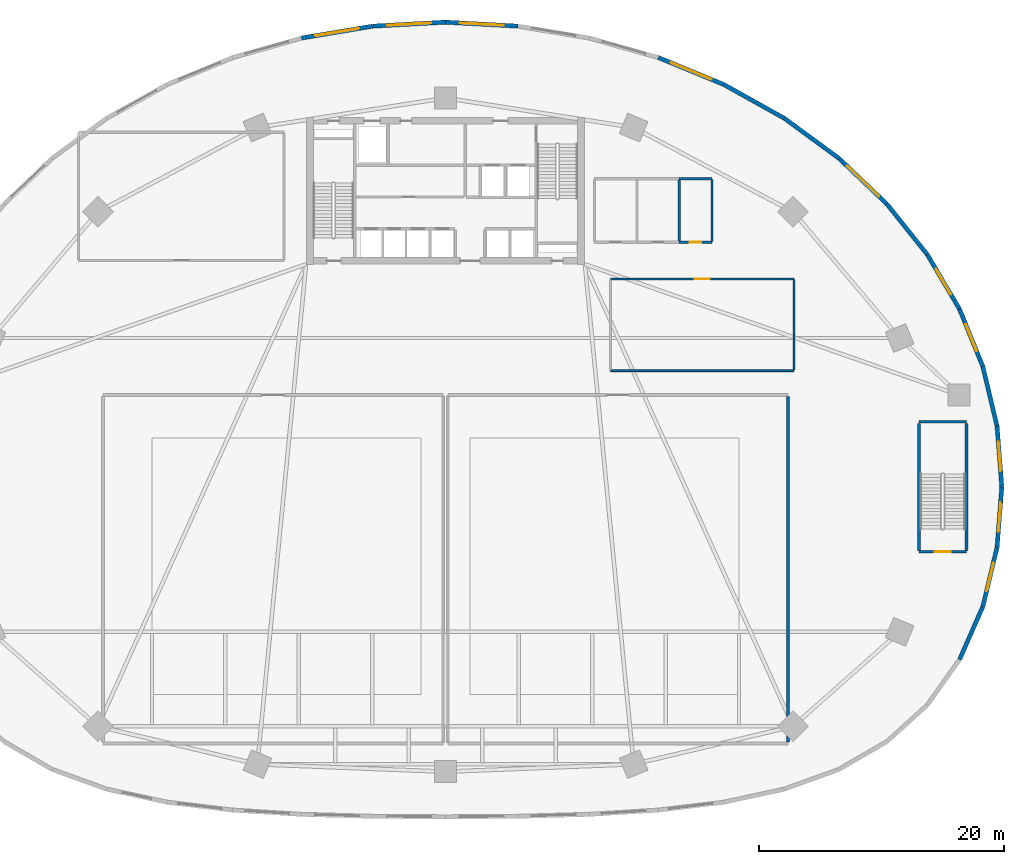
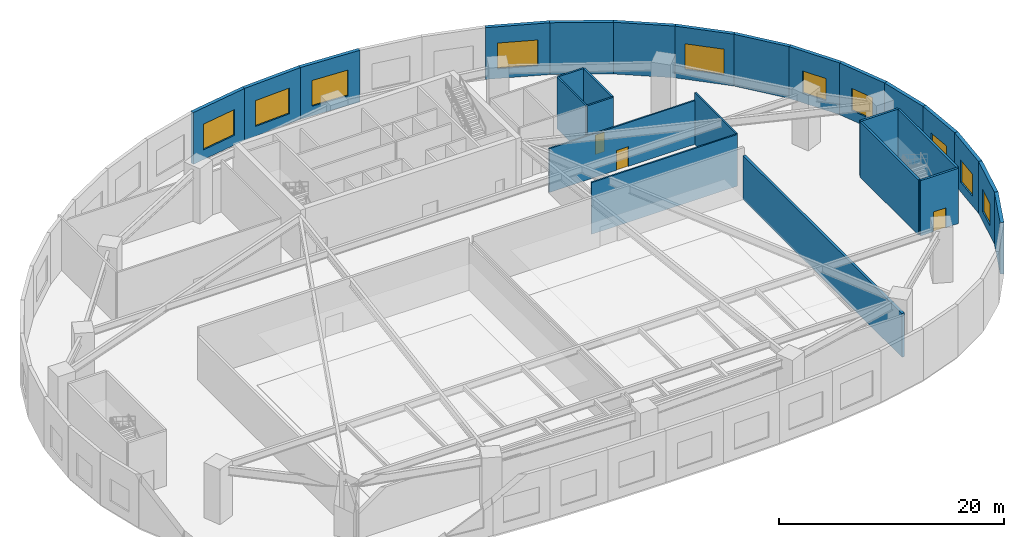
# One storey, part 5 of 10: 27 walls, 10 windows, 3 doors, 13 openings.
"""IFC4 building model written with IfcOpenShell, lengths in metres."""

from ifc_helpers import new_model, si_unit, direction, frame, frame_2d, origin, place, context, subcontext, project, spatial, rectangle, extrude, source, transform, mapped, material, layer, layer_set, type_object, type_shapes, element, fill, save


model = new_model("IFC4")

# Units and contexts
model_context = context("Model", 3, precision=1e-05, world=origin(), true_north=direction((0.0, 1.0)))
body_context = subcontext(model_context, "Body", "Model", "MODEL_VIEW")
ifc_project = project(units=[si_unit("LENGTHUNIT", "METRE"), si_unit("AREAUNIT", "SQUARE_METRE"), si_unit("VOLUMEUNIT", "CUBIC_METRE"), si_unit("PLANEANGLEUNIT", "RADIAN"), si_unit("MASSUNIT", "GRAM", prefix="KILO")], contexts=[model_context])

# Site, building, storey
site_placement = place(None, origin())
site = spatial("IfcSite", under=ifc_project, at=site_placement, CompositionType="ELEMENT")
building_placement = place(site_placement, origin())
building = spatial("IfcBuilding", under=site, at=building_placement, Name="Breltana Convention Tower", CompositionType="ELEMENT")
storey_placement = place(building_placement, frame((0.0, 0.0, 18.0)))
storey = spatial("IfcBuildingStorey", under=building, at=storey_placement, Name="L03", CompositionType="ELEMENT", Elevation=18.0)

# Wall, opening, window
ifc_material_1 = material(Name="Limestone Buff Insulated Wall", Category="masonry")
ifc_layer_1 = layer(ifc_material_1, 0.35009765625, Name="Limestone Buff Insulated Wall")
ifc_layer_set_1 = layer_set([ifc_layer_1], Name="Limestone Buff Insulated Wall")
wall_type_1 = type_object("IfcWallType", Name="WL-EXT-POD-350", PredefinedType="SOLIDWALL", material=ifc_layer_set_1)
shared_shape_1 = source(origin(), body_context, "Body", "SweptSolid", [
    extrude(rectangle(XDim=4.975341796875, YDim=0.35009765625, at=frame_2d((2.48779296875, 0.0))), origin(), (0.0, 0.0, 1.0), 5.6201171875),
])
wall_1_placement = place(storey_placement, frame((93.5, 42.0, 0.0), z_axis=(0.0, 0.0, 1.0), x_axis=(-0.07826870534, 0.996932299489, 0.0)))
wall_1 = element("IfcWall", 1, at=wall_1_placement, inside=storey, type_object=wall_type_1, Name="L03 limestone facade wall 1", PredefinedType="SOLIDWALL", context=body_context, shape_type="MappedRepresentation", body=[
    mapped(shared_shape_1, transform((0.0, 0.0, 0.0), scale=1.0)),
])
opening_1_placement = place(wall_1_placement, frame((1.28759765625, 0.0, 1.050048828125)))
opening_1 = element("IfcOpeningElement", 2, at=opening_1_placement, cuts=wall_1, Name="Opening W-02", PredefinedType="OPENING", context=body_context, shape_type="SweptSolid", body=[
    extrude(rectangle(XDim=2.39990234375, YDim=2.39990234375, at=frame_2d((1.199951171875, 1.199951171875))), frame((0.0, 0.18505859375, 0.0), z_axis=(0.0, -1.0, 0.0), x_axis=(1.0, 0.0, 0.0)), (0.0, 0.0, 1.0), 0.3701171875),
])
ifc_material_2 = material(Name="Glass Low-E Insulated Window", Category="glass")
window_type_1 = type_object("IfcWindowType", Name="WN-POD-2400X2400", PartitioningType="DOUBLE_PANEL_VERTICAL", PredefinedType="WINDOW", material=ifc_material_2)
shared_shape_2 = source(origin(), body_context, "Body", "SweptSolid", [
    extrude(rectangle(XDim=2.39990234375, YDim=2.39990234375, at=frame_2d((1.199951171875, 1.199951171875))), frame((0.0, 0.030029296875, 0.0), z_axis=(0.0, -1.0, 0.0), x_axis=(1.0, 0.0, 0.0)), (0.0, 0.0, 1.0), 0.06005859375),
])
type_shapes(window_type_1, [shared_shape_2])
window_1_placement = place(opening_1_placement, origin())
window_1 = element("IfcWindow", 3, at=window_1_placement, inside=storey, type_object=window_type_1, Name="L03 tripartite window 1.1", OverallHeight=2.39990234375, OverallWidth=2.39990234375, PartitioningType="DOUBLE_PANEL_VERTICAL", PredefinedType="WINDOW", context=body_context, shape_type="MappedRepresentation", body=[
    mapped(shared_shape_2, transform((0.0, 0.0, 0.0), scale=1.0)),
])
fill(opening_1, window_1)

wall_2_placement = place(storey_placement, frame((93.110595703125, 37.0400390625, 0.0), z_axis=(0.0, 0.0, 1.0), x_axis=(0.07826870534, 0.996932299489, 0.0)))
wall_2 = element("IfcWall", 4, at=wall_2_placement, inside=storey, type_object=wall_type_1, Name="L03 limestone facade wall 48", PredefinedType="SOLIDWALL", context=body_context, shape_type="MappedRepresentation", body=[
    mapped(shared_shape_1, transform((0.0, 0.0, 0.0), scale=1.0)),
])
opening_2_placement = place(wall_2_placement, frame((1.28759765625, 0.0, 1.050048828125)))
opening_2 = element("IfcOpeningElement", 5, at=opening_2_placement, cuts=wall_2, Name="Opening W-02", PredefinedType="OPENING", context=body_context, shape_type="SweptSolid", body=[
    extrude(rectangle(XDim=2.39990234375, YDim=2.39990234375, at=frame_2d((1.199951171875, 1.199951171875))), frame((0.0, 0.18505859375, 0.0), z_axis=(0.0, -1.0, 0.0), x_axis=(1.0, 0.0, 0.0)), (0.0, 0.0, 1.0), 0.3701171875),
])
window_2_placement = place(opening_2_placement, origin())
window_2 = element("IfcWindow", 6, at=window_2_placement, inside=storey, type_object=window_type_1, Name="L03 tripartite window 48.1", OverallHeight=2.39990234375, OverallWidth=2.39990234375, PartitioningType="DOUBLE_PANEL_VERTICAL", PredefinedType="WINDOW", context=body_context, shape_type="MappedRepresentation", body=[
    mapped(shared_shape_2, transform((0.0, 0.0, 0.0), scale=1.0)),
])
fill(opening_2, window_2)

# Wall
shared_shape_3 = source(origin(), body_context, "Body", "SweptSolid", [
    extrude(rectangle(XDim=5.011474609375, YDim=0.35009765625, at=frame_2d((2.505859375, 0.0))), origin(), (0.0, 0.0, 1.0), 5.6201171875),
])
wall_3_placement = place(storey_placement, frame((93.110595703125, 46.9599609375, 0.0), z_axis=(0.0, 0.0, 1.0), x_axis=(-0.23164248061, 0.972800987446, 0.0)))
element("IfcWall", 7, at=wall_3_placement, inside=storey, type_object=wall_type_1, Name="L03 limestone facade wall 2", PredefinedType="SOLIDWALL", context=body_context, shape_type="MappedRepresentation", body=[
    mapped(shared_shape_3, transform((0.0, 0.0, 0.0), scale=1.0)),
])

# Wall, opening, window
shared_shape_4 = source(origin(), body_context, "Body", "SweptSolid", [
    extrude(rectangle(XDim=5.080810546875, YDim=0.35009765625, at=frame_2d((2.54052734375, 0.0))), origin(), (0.0, 0.0, 1.0), 5.6201171875),
])
wall_4_placement = place(storey_placement, frame((91.94970703125, 51.835205078125, 0.0), z_axis=(0.0, 0.0, 1.0), x_axis=(-0.376538155573, 0.926401110425, 0.0)))
wall_4 = element("IfcWall", 8, at=wall_4_placement, inside=storey, type_object=wall_type_1, Name="L03 limestone facade wall 3", PredefinedType="SOLIDWALL", context=body_context, shape_type="MappedRepresentation", body=[
    mapped(shared_shape_4, transform((0.0, 0.0, 0.0), scale=1.0)),
])
opening_3_placement = place(wall_4_placement, frame((1.34033203125, 0.0, 1.050048828125)))
opening_3 = element("IfcOpeningElement", 9, at=opening_3_placement, cuts=wall_4, Name="Opening W-02", PredefinedType="OPENING", context=body_context, shape_type="SweptSolid", body=[
    extrude(rectangle(XDim=2.39990234375, YDim=2.39990234375, at=frame_2d((1.199951171875, 1.199951171875))), frame((0.0, 0.18505859375, 0.0), z_axis=(0.0, -1.0, 0.0), x_axis=(1.0, 0.0, 0.0)), (0.0, 0.0, 1.0), 0.3701171875),
])
window_3_placement = place(opening_3_placement, origin())
window_3 = element("IfcWindow", 10, at=window_3_placement, inside=storey, type_object=window_type_1, Name="L03 tripartite window 3.1", OverallHeight=2.39990234375, OverallWidth=2.39990234375, PartitioningType="DOUBLE_PANEL_VERTICAL", PredefinedType="WINDOW", context=body_context, shape_type="MappedRepresentation", body=[
    mapped(shared_shape_2, transform((0.0, 0.0, 0.0), scale=1.0)),
])
fill(opening_3, window_3)

shared_shape_5 = source(origin(), body_context, "Body", "SweptSolid", [
    extrude(rectangle(XDim=5.17724609375, YDim=0.35009765625, at=frame_2d((2.588623046875, 0.0))), origin(), (0.0, 0.0, 1.0), 5.6201171875),
])
wall_5_placement = place(storey_placement, frame((90.03662109375, 56.5419921875, 0.0), z_axis=(0.0, 0.0, 1.0), x_axis=(-0.508449663637, 0.861091713784, 0.0)))
wall_5 = element("IfcWall", 11, at=wall_5_placement, inside=storey, type_object=wall_type_1, Name="L03 limestone facade wall 4", PredefinedType="SOLIDWALL", context=body_context, shape_type="MappedRepresentation", body=[
    mapped(shared_shape_5, transform((0.0, 0.0, 0.0), scale=1.0)),
])
opening_4_placement = place(wall_5_placement, frame((1.388671875, 0.0, 1.050048828125)))
opening_4 = element("IfcOpeningElement", 12, at=opening_4_placement, cuts=wall_5, Name="Opening W-02", PredefinedType="OPENING", context=body_context, shape_type="SweptSolid", body=[
    extrude(rectangle(XDim=2.39990234375, YDim=2.39990234375, at=frame_2d((1.199951171875, 1.199951171875))), frame((0.0, 0.18505859375, 0.0), z_axis=(0.0, -1.0, 0.0), x_axis=(1.0, 0.0, 0.0)), (0.0, 0.0, 1.0), 0.3701171875),
])
window_4_placement = place(opening_4_placement, origin())
window_4 = element("IfcWindow", 13, at=window_4_placement, inside=storey, type_object=window_type_1, Name="L03 tripartite window 4.1", OverallHeight=2.39990234375, OverallWidth=2.39990234375, PartitioningType="DOUBLE_PANEL_VERTICAL", PredefinedType="WINDOW", context=body_context, shape_type="MappedRepresentation", body=[
    mapped(shared_shape_2, transform((0.0, 0.0, 0.0), scale=1.0)),
])
fill(opening_4, window_4)

# Wall
shared_shape_6 = source(origin(), body_context, "Body", "SweptSolid", [
    extrude(rectangle(XDim=5.292724609375, YDim=0.35009765625, at=frame_2d((2.646484375, 0.0))), origin(), (0.0, 0.0, 1.0), 5.6201171875),
])
wall_6_placement = place(storey_placement, frame((87.404296875, 61.0, 0.0), z_axis=(0.0, 0.0, 1.0), x_axis=(-0.624740048177, 0.780832806818, 0.0)))
element("IfcWall", 14, at=wall_6_placement, inside=storey, type_object=wall_type_1, Name="L03 limestone facade wall 5", PredefinedType="SOLIDWALL", context=body_context, shape_type="MappedRepresentation", body=[
    mapped(shared_shape_6, transform((0.0, 0.0, 0.0), scale=1.0)),
])

# Wall, opening, window
shared_shape_7 = source(origin(), body_context, "Body", "SweptSolid", [
    extrude(rectangle(XDim=5.419189453125, YDim=0.35009765625, at=frame_2d((2.70947265625, 0.0))), origin(), (0.0, 0.0, 1.0), 5.6201171875),
])
wall_7_placement = place(storey_placement, frame((84.09765625, 65.1328125, 0.0), z_axis=(0.0, 0.0, 1.0), x_axis=(-0.724150787336, 0.689641673046, 0.0)))
wall_7 = element("IfcWall", 15, at=wall_7_placement, inside=storey, type_object=wall_type_1, Name="L03 limestone facade wall 6", PredefinedType="SOLIDWALL", context=body_context, shape_type="MappedRepresentation", body=[
    mapped(shared_shape_7, transform((0.0, 0.0, 0.0), scale=1.0)),
])
opening_5_placement = place(wall_7_placement, frame((0.909423828125, 0.0, 1.050048828125)))
opening_5 = element("IfcOpeningElement", 16, at=opening_5_placement, cuts=wall_7, Name="Opening W-01", PredefinedType="OPENING", context=body_context, shape_type="SweptSolid", body=[
    extrude(rectangle(XDim=3.60009765625, YDim=2.800048828125, at=frame_2d((1.800048828125, 1.39990234375))), frame((0.0, 0.18505859375, 0.0), z_axis=(0.0, -1.0, 0.0), x_axis=(1.0, 0.0, 0.0)), (0.0, 0.0, 1.0), 0.3701171875),
])
window_type_2 = type_object("IfcWindowType", Name="WN-POD-3600X2800", PartitioningType="TRIPLE_PANEL_VERTICAL", PredefinedType="WINDOW", material=ifc_material_2)
shared_shape_8 = source(origin(), body_context, "Body", "SweptSolid", [
    extrude(rectangle(XDim=3.60009765625, YDim=2.800048828125, at=frame_2d((1.800048828125, 1.39990234375))), frame((0.0, 0.030029296875, 0.0), z_axis=(0.0, -1.0, 0.0), x_axis=(1.0, 0.0, 0.0)), (0.0, 0.0, 1.0), 0.06005859375),
])
type_shapes(window_type_2, [shared_shape_8])
window_5_placement = place(opening_5_placement, origin())
window_5 = element("IfcWindow", 17, at=window_5_placement, inside=storey, type_object=window_type_2, Name="L03 tripartite window 6.1", OverallHeight=2.800048828125, OverallWidth=3.60009765625, PartitioningType="TRIPLE_PANEL_VERTICAL", PredefinedType="WINDOW", context=body_context, shape_type="MappedRepresentation", body=[
    mapped(shared_shape_8, transform((0.0, 0.0, 0.0), scale=1.0)),
])
fill(opening_5, window_5)

# Walls
shared_shape_9 = source(origin(), body_context, "Body", "SweptSolid", [
    extrude(rectangle(XDim=5.546630859375, YDim=0.35009765625, at=frame_2d((2.7734375, 0.0))), origin(), (0.0, 0.0, 1.0), 5.6201171875),
])
wall_8_placement = place(storey_placement, frame((80.17333984375, 68.8701171875, 0.0), z_axis=(0.0, 0.0, 1.0), x_axis=(-0.806767275837, 0.590869327887, 0.0)))
element("IfcWall", 18, at=wall_8_placement, inside=storey, type_object=wall_type_1, Name="L03 limestone facade wall 7", PredefinedType="SOLIDWALL", context=body_context, shape_type="MappedRepresentation", body=[
    mapped(shared_shape_9, transform((0.0, 0.0, 0.0), scale=1.0)),
])
shared_shape_10 = source(origin(), body_context, "Body", "SweptSolid", [
    extrude(rectangle(XDim=5.666748046875, YDim=0.35009765625, at=frame_2d((2.83349609375, 0.0))), origin(), (0.0, 0.0, 1.0), 5.6201171875),
])
wall_9_placement = place(storey_placement, frame((75.698486328125, 72.1474609375, 0.0), z_axis=(0.0, 0.0, 1.0), x_axis=(-0.873233089296, 0.487302751642, 0.0)))
element("IfcWall", 19, at=wall_9_placement, inside=storey, type_object=wall_type_1, Name="L03 limestone facade wall 8", PredefinedType="SOLIDWALL", context=body_context, shape_type="MappedRepresentation", body=[
    mapped(shared_shape_10, transform((0.0, 0.0, 0.0), scale=1.0)),
])

# Wall, opening, window
shared_shape_11 = source(origin(), body_context, "Body", "SweptSolid", [
    extrude(rectangle(XDim=5.77294921875, YDim=0.35009765625, at=frame_2d((2.886474609375, 0.0))), origin(), (0.0, 0.0, 1.0), 5.6201171875),
])
wall_10_placement = place(storey_placement, frame((70.75, 74.908935546875, 0.0), z_axis=(0.0, 0.0, 1.0), x_axis=(-0.924645688874, 0.380828504771, 0.0)))
wall_10 = element("IfcWall", 20, at=wall_10_placement, inside=storey, type_object=wall_type_1, Name="L03 limestone facade wall 9", PredefinedType="SOLIDWALL", context=body_context, shape_type="MappedRepresentation", body=[
    mapped(shared_shape_11, transform((0.0, 0.0, 0.0), scale=1.0)),
])
opening_6_placement = place(wall_10_placement, frame((1.08642578125, 0.0, 1.050048828125)))
opening_6 = element("IfcOpeningElement", 21, at=opening_6_placement, cuts=wall_10, Name="Opening W-01", PredefinedType="OPENING", context=body_context, shape_type="SweptSolid", body=[
    extrude(rectangle(XDim=3.60009765625, YDim=2.800048828125, at=frame_2d((1.800048828125, 1.39990234375))), frame((0.0, 0.18505859375, 0.0), z_axis=(0.0, -1.0, 0.0), x_axis=(1.0, 0.0, 0.0)), (0.0, 0.0, 1.0), 0.3701171875),
])
window_6_placement = place(opening_6_placement, origin())
window_6 = element("IfcWindow", 22, at=window_6_placement, inside=storey, type_object=window_type_2, Name="L03 tripartite window 9.1", OverallHeight=2.800048828125, OverallWidth=3.60009765625, PartitioningType="TRIPLE_PANEL_VERTICAL", PredefinedType="WINDOW", context=body_context, shape_type="MappedRepresentation", body=[
    mapped(shared_shape_8, transform((0.0, 0.0, 0.0), scale=1.0)),
])
fill(opening_6, window_6)

shared_shape_12 = source(origin(), body_context, "Body", "SweptSolid", [
    extrude(rectangle(XDim=5.91748046875, YDim=0.35009765625, at=frame_2d((2.958740234375, 0.0))), origin(), (0.0, 0.0, 1.0), 5.6201171875),
])
wall_11_placement = place(storey_placement, frame((42.06103515625, 79.6748046875, 0.0), z_axis=(0.0, 0.0, 1.0), x_axis=(-0.986480762285, -0.163877105303, 0.0)))
wall_11 = element("IfcWall", 23, at=wall_11_placement, inside=storey, type_object=wall_type_1, Name="L03 limestone facade wall 14", PredefinedType="SOLIDWALL", context=body_context, shape_type="MappedRepresentation", body=[
    mapped(shared_shape_12, transform((0.0, 0.0, 0.0), scale=1.0)),
])
opening_7_placement = place(wall_11_placement, frame((1.15869140625, 0.0, 1.050048828125)))
opening_7 = element("IfcOpeningElement", 24, at=opening_7_placement, cuts=wall_11, Name="Opening W-01", PredefinedType="OPENING", context=body_context, shape_type="SweptSolid", body=[
    extrude(rectangle(XDim=3.60009765625, YDim=2.800048828125, at=frame_2d((1.800048828125, 1.39990234375))), frame((0.0, 0.18505859375, 0.0), z_axis=(0.0, -1.0, 0.0), x_axis=(1.0, 0.0, 0.0)), (0.0, 0.0, 1.0), 0.3701171875),
])
window_7_placement = place(opening_7_placement, origin())
window_7 = element("IfcWindow", 25, at=window_7_placement, inside=storey, type_object=window_type_2, Name="L03 tripartite window 14.1", OverallHeight=2.800048828125, OverallWidth=3.60009765625, PartitioningType="TRIPLE_PANEL_VERTICAL", PredefinedType="WINDOW", context=body_context, shape_type="MappedRepresentation", body=[
    mapped(shared_shape_8, transform((0.0, 0.0, 0.0), scale=1.0)),
])
fill(opening_7, window_7)

shared_shape_13 = source(origin(), body_context, "Body", "SweptSolid", [
    extrude(rectangle(XDim=5.94775390625, YDim=0.35009765625, at=frame_2d((2.973876953125, 0.0))), origin(), (0.0, 0.0, 1.0), 5.6201171875),
])
wall_12_placement = place(storey_placement, frame((53.93896484375, 79.6748046875, 0.0), z_axis=(0.0, 0.0, 1.0), x_axis=(-0.998504240403, 0.054674325751, 0.0)))
wall_12 = element("IfcWall", 26, at=wall_12_placement, inside=storey, type_object=wall_type_1, Name="L03 limestone facade wall 12", PredefinedType="SOLIDWALL", context=body_context, shape_type="MappedRepresentation", body=[
    mapped(shared_shape_13, transform((0.0, 0.0, 0.0), scale=1.0)),
])
opening_8_placement = place(wall_12_placement, frame((1.173828125, 0.0, 1.050048828125)))
opening_8 = element("IfcOpeningElement", 27, at=opening_8_placement, cuts=wall_12, Name="Opening W-01", PredefinedType="OPENING", context=body_context, shape_type="SweptSolid", body=[
    extrude(rectangle(XDim=3.60009765625, YDim=2.800048828125, at=frame_2d((1.800048828125, 1.39990234375))), frame((0.0, 0.18505859375, 0.0), z_axis=(0.0, -1.0, 0.0), x_axis=(1.0, 0.0, 0.0)), (0.0, 0.0, 1.0), 0.3701171875),
])
window_8_placement = place(opening_8_placement, origin())
window_8 = element("IfcWindow", 28, at=window_8_placement, inside=storey, type_object=window_type_2, Name="L03 tripartite window 12.1", OverallHeight=2.800048828125, OverallWidth=3.60009765625, PartitioningType="TRIPLE_PANEL_VERTICAL", PredefinedType="WINDOW", context=body_context, shape_type="MappedRepresentation", body=[
    mapped(shared_shape_8, transform((0.0, 0.0, 0.0), scale=1.0)),
])
fill(opening_8, window_8)

wall_13_placement = place(storey_placement, frame((48.0, 80.0, 0.0), z_axis=(0.0, 0.0, 1.0), x_axis=(-0.998504240403, -0.054674325751, 0.0)))
wall_13 = element("IfcWall", 29, at=wall_13_placement, inside=storey, type_object=wall_type_1, Name="L03 limestone facade wall 13", PredefinedType="SOLIDWALL", context=body_context, shape_type="MappedRepresentation", body=[
    mapped(shared_shape_13, transform((0.0, 0.0, 0.0), scale=1.0)),
])
opening_9_placement = place(wall_13_placement, frame((1.173828125, 0.0, 1.050048828125)))
opening_9 = element("IfcOpeningElement", 30, at=opening_9_placement, cuts=wall_13, Name="Opening W-01", PredefinedType="OPENING", context=body_context, shape_type="SweptSolid", body=[
    extrude(rectangle(XDim=3.60009765625, YDim=2.800048828125, at=frame_2d((1.800048828125, 1.39990234375))), frame((0.0, 0.18505859375, 0.0), z_axis=(0.0, -1.0, 0.0), x_axis=(1.0, 0.0, 0.0)), (0.0, 0.0, 1.0), 0.3701171875),
])
window_9_placement = place(opening_9_placement, origin())
window_9 = element("IfcWindow", 31, at=window_9_placement, inside=storey, type_object=window_type_2, Name="L03 tripartite window 13.1", OverallHeight=2.800048828125, OverallWidth=3.60009765625, PartitioningType="TRIPLE_PANEL_VERTICAL", PredefinedType="WINDOW", context=body_context, shape_type="MappedRepresentation", body=[
    mapped(shared_shape_8, transform((0.0, 0.0, 0.0), scale=1.0)),
])
fill(opening_9, window_9)

shared_shape_14 = source(origin(), body_context, "Body", "SweptSolid", [
    extrude(rectangle(XDim=4.968994140625, YDim=0.35009765625, at=frame_2d((2.484375, 0.0))), origin(), (0.0, 0.0, 1.0), 5.6201171875),
])
wall_14_placement = place(storey_placement, frame((91.94970703125, 32.20849609375, 0.0), z_axis=(0.0, 0.0, 1.0), x_axis=(0.233623809029, 0.972327062184, 0.0)))
wall_14 = element("IfcWall", 32, at=wall_14_placement, inside=storey, type_object=wall_type_1, Name="L03 limestone facade wall 47", PredefinedType="SOLIDWALL", context=body_context, shape_type="MappedRepresentation", body=[
    mapped(shared_shape_14, transform((0.0, 0.0, 0.0), scale=1.0)),
])
opening_10_placement = place(wall_14_placement, frame((1.284423828125, 0.0, 1.050048828125)))
opening_10 = element("IfcOpeningElement", 33, at=opening_10_placement, cuts=wall_14, Name="Opening W-02", PredefinedType="OPENING", context=body_context, shape_type="SweptSolid", body=[
    extrude(rectangle(XDim=2.39990234375, YDim=2.39990234375, at=frame_2d((1.199951171875, 1.199951171875))), frame((0.0, 0.18505859375, 0.0), z_axis=(0.0, -1.0, 0.0), x_axis=(1.0, 0.0, 0.0)), (0.0, 0.0, 1.0), 0.3701171875),
])
window_10_placement = place(opening_10_placement, origin())
window_10 = element("IfcWindow", 34, at=window_10_placement, inside=storey, type_object=window_type_1, Name="L03 tripartite window 47.1", OverallHeight=2.39990234375, OverallWidth=2.39990234375, PartitioningType="DOUBLE_PANEL_VERTICAL", PredefinedType="WINDOW", context=body_context, shape_type="MappedRepresentation", body=[
    mapped(shared_shape_2, transform((0.0, 0.0, 0.0), scale=1.0)),
])
fill(opening_10, window_10)

# Wall
shared_shape_15 = source(origin(), body_context, "Body", "SweptSolid", [
    extrude(rectangle(XDim=4.756103515625, YDim=0.35009765625, at=frame_2d((2.3779296875, 0.0))), origin(), (0.0, 0.0, 1.0), 5.6201171875),
])
wall_15_placement = place(storey_placement, frame((90.03662109375, 27.854248046875, 0.0), z_axis=(0.0, 0.0, 1.0), x_axis=(0.402248274654, 0.915530625123, 0.0)))
element("IfcWall", 35, at=wall_15_placement, inside=storey, type_object=wall_type_1, Name="L03 limestone facade wall 46", PredefinedType="SOLIDWALL", context=body_context, shape_type="MappedRepresentation", body=[
    mapped(shared_shape_15, transform((0.0, 0.0, 0.0), scale=1.0)),
])

# Wall, opening, door
ifc_material_3 = material(Name="Concrete C40/50", Category="concrete")
ifc_layer_2 = layer(ifc_material_3, 0.219970703125, Name="Concrete C40/50")
ifc_layer_set_2 = layer_set([ifc_layer_2], Name="Concrete C40/50")
wall_type_2 = type_object("IfcWallType", Name="WL-SHAFT-220", PredefinedType="SOLIDWALL", material=ifc_layer_set_2)
shared_shape_16 = source(origin(), body_context, "Body", "SweptSolid", [
    extrude(rectangle(XDim=3.89013671875, YDim=0.219970703125, at=frame_2d((1.945068359375, 0.0))), origin(), (0.0, 0.0, 1.0), 6.0),
])
wall_16_placement = place(storey_placement, frame((86.719970703125, 36.68994140625, 0.0), z_axis=(0.0, 0.0, 1.0), x_axis=(1.0, 0.0, 0.0)))
wall_16 = element("IfcWall", 36, at=wall_16_placement, inside=storey, type_object=wall_type_2, Name="L03 interior partition W-L03-ST4-S", PredefinedType="SOLIDWALL", context=body_context, shape_type="MappedRepresentation", body=[
    mapped(shared_shape_16, transform((0.0, 0.0, 0.0), scale=1.0)),
])
opening_11_placement = place(wall_16_placement, frame((1.294921875, 0.0, 0.0)))
opening_11 = element("IfcOpeningElement", 37, at=opening_11_placement, cuts=wall_16, Name="Opening D-08", PredefinedType="OPENING", context=body_context, shape_type="SweptSolid", body=[
    extrude(rectangle(XDim=1.300048828125, YDim=2.14990234375, at=frame_2d((0.64990234375, 1.074951171875))), frame((0.0, 0.1201171875, 0.0), z_axis=(0.0, -1.0, 0.0), x_axis=(1.0, 0.0, 0.0)), (0.0, 0.0, 1.0), 0.239990234375),
])
ifc_material_4 = material(Name="Steel Fire Exit Door", Category="steel")
door_type_1 = type_object("IfcDoorType", Name="DR-FD120-1300", OperationType="NOTDEFINED", PredefinedType="DOOR", material=ifc_material_4)
shared_shape_17 = source(origin(), body_context, "Body", "SweptSolid", [
    extrude(rectangle(XDim=1.300048828125, YDim=2.14990234375, at=frame_2d((0.64990234375, 1.074951171875))), frame((0.0, 0.02490234375, 0.0), z_axis=(0.0, -1.0, 0.0), x_axis=(1.0, 0.0, 0.0)), (0.0, 0.0, 1.0), 0.050048828125),
])
type_shapes(door_type_1, [shared_shape_17])
door_1_placement = place(opening_11_placement, origin())
door_1 = element("IfcDoor", 38, at=door_1_placement, inside=storey, type_object=door_type_1, Name="L03 interior door D-L03-ST4", OperationType="SINGLE_SWING_LEFT", OverallHeight=2.14990234375, OverallWidth=1.300048828125, PredefinedType="DOOR", context=body_context, shape_type="MappedRepresentation", body=[
    mapped(shared_shape_17, transform((0.0, 0.0, 0.0), scale=1.0)),
])
fill(opening_11, door_1)

# Walls
wall_17_placement = place(storey_placement, frame((86.719970703125, 47.31005859375, 0.0), z_axis=(0.0, 0.0, 1.0), x_axis=(1.0, 0.0, 0.0)))
element("IfcWall", 39, at=wall_17_placement, inside=storey, type_object=wall_type_2, Name="L03 interior partition W-L03-ST4-N", PredefinedType="SOLIDWALL", context=body_context, shape_type="MappedRepresentation", body=[
    mapped(shared_shape_16, transform((0.0, 0.0, 0.0), scale=1.0)),
])
shared_shape_18 = source(origin(), body_context, "Body", "SweptSolid", [
    extrude(rectangle(XDim=10.3798828125, YDim=0.219970703125, at=frame_2d((5.18994140625, 0.0))), origin(), (0.0, 0.0, 1.0), 6.0),
])
for number, where, z_axis, x_axis, name in (
    (40, (86.719970703125, 36.81005859375, 0.0), (0.0, 0.0, 1.0), (0.0, 1.0, 0.0), "L03 interior partition W-L03-ST4-W"),
    (41, (90.610107421875, 36.81005859375, 0.0), (0.0, 0.0, 1.0), (0.0, 1.0, 0.0), "L03 interior partition W-L03-ST4-E"),
):
    element("IfcWall", number, at=place(storey_placement, frame(where, z_axis=z_axis, x_axis=x_axis)), inside=storey, type_object=wall_type_2, Name=name, PredefinedType="SOLIDWALL", context=body_context, shape_type="MappedRepresentation", body=[
        mapped(shared_shape_18, transform((0.0, 0.0, 0.0), scale=1.0)),
    ])
ifc_material_5 = material(Name="Cement Board Wet-Area Partition")
ifc_layer_3 = layer(ifc_material_5, 0.175048828125, Name="Cement Board Wet-Area Partition")
ifc_layer_set_3 = layer_set([ifc_layer_3], Name="Cement Board Wet-Area Partition")
wall_type_3 = type_object("IfcWallType", Name="WL-WET-175", PredefinedType="PARTITIONING", material=ifc_layer_set_3)
shared_shape_19 = source(origin(), body_context, "Body", "SweptSolid", [
    extrude(rectangle(XDim=5.042724609375, YDim=0.175048828125, at=frame_2d((2.521484375, 0.0))), origin(), (0.0, 0.0, 1.0), 5.6201171875),
])
for number, where, z_axis, x_axis, name in (
    (42, (67.112060546875, 62.07861328125, 0.0), (0.0, 0.0, 1.0), (0.0, 1.0, 0.0), "L03 interior partition W-L03-WCF-E"),
    (43, (69.800048828125, 62.07861328125, 0.0), (0.0, 0.0, 1.0), (0.0, 1.0, 0.0), "L03 interior partition W-L03-WCA-E"),
):
    element("IfcWall", number, at=place(storey_placement, frame(where, z_axis=z_axis, x_axis=x_axis)), inside=storey, type_object=wall_type_3, Name=name, PredefinedType="PARTITIONING", context=body_context, shape_type="MappedRepresentation", body=[
        mapped(shared_shape_19, transform((0.0, 0.0, 0.0), scale=1.0)),
    ])

# Wall, opening, door
shared_shape_20 = source(origin(), body_context, "Body", "SweptSolid", [
    extrude(rectangle(XDim=2.68798828125, YDim=0.175048828125, at=frame_2d((1.343994140625, 0.0))), origin(), (0.0, 0.0, 1.0), 5.6201171875),
])
wall_18_placement = place(storey_placement, frame((67.112060546875, 62.0, 0.0), z_axis=(0.0, 0.0, 1.0), x_axis=(1.0, 0.0, 0.0)))
wall_18 = element("IfcWall", 44, at=wall_18_placement, inside=storey, type_object=wall_type_3, Name="L03 interior partition W-L03-WCA-S", PredefinedType="PARTITIONING", context=body_context, shape_type="MappedRepresentation", body=[
    mapped(shared_shape_20, transform((0.0, 0.0, 0.0), scale=1.0)),
])
opening_12_placement = place(wall_18_placement, frame((0.868896484375, 0.0, 0.0)))
opening_12 = element("IfcOpeningElement", 45, at=opening_12_placement, cuts=wall_18, Name="Opening D-16", PredefinedType="OPENING", context=body_context, shape_type="SweptSolid", body=[
    extrude(rectangle(XDim=0.949951171875, YDim=2.1201171875, at=frame_2d((0.47509765625, 1.06005859375))), frame((0.0, 0.09765625, 0.0), z_axis=(0.0, -1.0, 0.0), x_axis=(1.0, 0.0, 0.0)), (0.0, 0.0, 1.0), 0.195068359375),
])
ifc_material_6 = material(Name="Timber Laminate Accessible Door", Category="wood")
door_type_2 = type_object("IfcDoorType", Name="DR-ACC-950", OperationType="NOTDEFINED", PredefinedType="DOOR", material=ifc_material_6)
shared_shape_21 = source(origin(), body_context, "Body", "SweptSolid", [
    extrude(rectangle(XDim=0.949951171875, YDim=2.1201171875, at=frame_2d((0.47509765625, 1.06005859375))), frame((0.0, 0.02490234375, 0.0), z_axis=(0.0, -1.0, 0.0), x_axis=(1.0, 0.0, 0.0)), (0.0, 0.0, 1.0), 0.050048828125),
])
type_shapes(door_type_2, [shared_shape_21])
door_2_placement = place(opening_12_placement, origin())
door_2 = element("IfcDoor", 46, at=door_2_placement, inside=storey, type_object=door_type_2, Name="L03 interior door D-L03-WCA", OperationType="SINGLE_SWING_LEFT", OverallHeight=2.1201171875, OverallWidth=0.949951171875, PredefinedType="DOOR", context=body_context, shape_type="MappedRepresentation", body=[
    mapped(shared_shape_21, transform((0.0, 0.0, 0.0), scale=1.0)),
])
fill(opening_12, door_2)

# Walls
ifc_material_7 = material(Name="Moisture-Resistant Gypsum Chase Wall")
ifc_layer_4 = layer(ifc_material_7, 0.179931640625, Name="Moisture-Resistant Gypsum Chase Wall")
ifc_layer_set_4 = layer_set([ifc_layer_4], Name="Moisture-Resistant Gypsum Chase Wall")
wall_type_4 = type_object("IfcWallType", Name="WL-PLUMB-180", PredefinedType="PLUMBINGWALL", material=ifc_layer_set_4)
shared_shape_22 = source(origin(), body_context, "Body", "SweptSolid", [
    extrude(rectangle(XDim=2.68798828125, YDim=0.179931640625, at=frame_2d((1.343994140625, 0.0))), origin(), (0.0, 0.0, 1.0), 5.6201171875),
])
wall_19_placement = place(storey_placement, frame((67.112060546875, 67.199951171875, 0.0), z_axis=(0.0, 0.0, 1.0), x_axis=(1.0, 0.0, 0.0)))
element("IfcWall", 47, at=wall_19_placement, inside=storey, type_object=wall_type_4, Name="L03 interior partition W-L03-WCA-N", PredefinedType="PLUMBINGWALL", context=body_context, shape_type="MappedRepresentation", body=[
    mapped(shared_shape_22, transform((0.0, 0.0, 0.0), scale=1.0)),
])
ifc_material_8 = material(Name="Gypsum Acoustic Double Stud Wall")
ifc_layer_5 = layer(ifc_material_8, 0.25, Name="Gypsum Acoustic Double Stud Wall")
ifc_layer_set_5 = layer_set([ifc_layer_5], Name="Gypsum Acoustic Double Stud Wall")
wall_type_5 = type_object("IfcWallType", Name="WL-ACOUSTIC-250", PredefinedType="PARTITIONING", material=ifc_layer_set_5)
shared_shape_23 = source(origin(), body_context, "Body", "SweptSolid", [
    extrude(rectangle(XDim=28.27490234375, YDim=0.25, at=frame_2d((14.137451171875, 0.0))), origin(), (0.0, 0.0, 1.0), 4.75390625),
])
wall_20_placement = place(storey_placement, frame((76.0, 21.112548828125, 0.0), z_axis=(0.0, 0.0, 1.0), x_axis=(0.0, 1.0, 0.0)))
element("IfcWall", 48, at=wall_20_placement, inside=storey, type_object=wall_type_5, Name="L03 interior partition W-L03-BLE-E", PredefinedType="PARTITIONING", context=body_context, shape_type="MappedRepresentation", body=[
    mapped(shared_shape_23, transform((0.0, 0.0, 0.0), scale=1.0)),
])
ifc_material_9 = material(Name="Gypsum Acoustic Drywall Partition")
ifc_layer_6 = layer(ifc_material_9, 0.14990234375, Name="Gypsum Acoustic Drywall Partition")
ifc_layer_set_6 = layer_set([ifc_layer_6], Name="Gypsum Acoustic Drywall Partition")
wall_type_6 = type_object("IfcWallType", Name="WL-PART-150", PredefinedType="PARTITIONING", material=ifc_layer_set_6)
shared_shape_24 = source(origin(), body_context, "Body", "SweptSolid", [
    extrude(rectangle(XDim=15.0, YDim=0.14990234375, at=frame_2d((7.5, 0.0))), origin(), (0.0, 0.0, 1.0), 5.6201171875),
])
wall_21_placement = place(storey_placement, frame((61.5, 51.5, 0.0), z_axis=(0.0, 0.0, 1.0), x_axis=(1.0, 0.0, 0.0)))
element("IfcWall", 49, at=wall_21_placement, inside=storey, type_object=wall_type_6, Name="L03 interior partition W-L03-VIP-S", PredefinedType="PARTITIONING", context=body_context, shape_type="MappedRepresentation", body=[
    mapped(shared_shape_24, transform((0.0, 0.0, 0.0), scale=1.0)),
])

# Wall, opening, door
shared_shape_25 = source(origin(), body_context, "Body", "SweptSolid", [
    extrude(rectangle(XDim=15.0, YDim=0.14990234375, at=frame_2d((7.5, 0.0))), origin(), (0.0, 0.0, 1.0), 4.75390625),
])
wall_22_placement = place(storey_placement, frame((61.5, 59.0, 0.0), z_axis=(0.0, 0.0, 1.0), x_axis=(1.0, 0.0, 0.0)))
wall_22 = element("IfcWall", 50, at=wall_22_placement, inside=storey, type_object=wall_type_6, Name="L03 interior partition W-L03-VIP-N", PredefinedType="PARTITIONING", context=body_context, shape_type="MappedRepresentation", body=[
    mapped(shared_shape_25, transform((0.0, 0.0, 0.0), scale=1.0)),
])
opening_13_placement = place(wall_22_placement, frame((6.89990234375, 0.0, 0.0)))
opening_13 = element("IfcOpeningElement", 51, at=opening_13_placement, cuts=wall_22, Name="Opening D-10", PredefinedType="OPENING", context=body_context, shape_type="SweptSolid", body=[
    extrude(rectangle(XDim=1.199951171875, YDim=2.14990234375, at=frame_2d((0.60009765625, 1.074951171875))), frame((0.0, 0.0849609375, 0.0), z_axis=(0.0, -1.0, 0.0), x_axis=(1.0, 0.0, 0.0)), (0.0, 0.0, 1.0), 0.169921875),
])
ifc_material_10 = material(Name="Timber Oak Veneer Fire Door", Category="wood")
door_type_3 = type_object("IfcDoorType", Name="DR-INT-1200", OperationType="NOTDEFINED", PredefinedType="DOOR", material=ifc_material_10)
shared_shape_26 = source(origin(), body_context, "Body", "SweptSolid", [
    extrude(rectangle(XDim=1.199951171875, YDim=2.14990234375, at=frame_2d((0.60009765625, 1.074951171875))), frame((0.0, 0.02490234375, 0.0), z_axis=(0.0, -1.0, 0.0), x_axis=(1.0, 0.0, 0.0)), (0.0, 0.0, 1.0), 0.050048828125),
])
type_shapes(door_type_3, [shared_shape_26])
door_3_placement = place(opening_13_placement, origin())
door_3 = element("IfcDoor", 52, at=door_3_placement, inside=storey, type_object=door_type_3, Name="L03 interior door D-L03-VIP", OperationType="SINGLE_SWING_LEFT", OverallHeight=2.14990234375, OverallWidth=1.199951171875, PredefinedType="DOOR", context=body_context, shape_type="MappedRepresentation", body=[
    mapped(shared_shape_26, transform((0.0, 0.0, 0.0), scale=1.0)),
])
fill(opening_13, door_3)

# Wall
shared_shape_27 = source(origin(), body_context, "Body", "SweptSolid", [
    extrude(rectangle(XDim=7.365234375, YDim=0.14990234375, at=frame_2d((3.6826171875, 0.0))), origin(), (0.0, 0.0, 1.0), 5.6201171875),
])
wall_23_placement = place(storey_placement, frame((76.5, 51.5673828125, 0.0), z_axis=(0.0, 0.0, 1.0), x_axis=(0.0, 1.0, 0.0)))
element("IfcWall", 53, at=wall_23_placement, inside=storey, type_object=wall_type_6, Name="L03 interior partition W-L03-VIP-E", PredefinedType="PARTITIONING", context=body_context, shape_type="MappedRepresentation", body=[
    mapped(shared_shape_27, transform((0.0, 0.0, 0.0), scale=1.0)),
])

save(model, "model.ifc")
